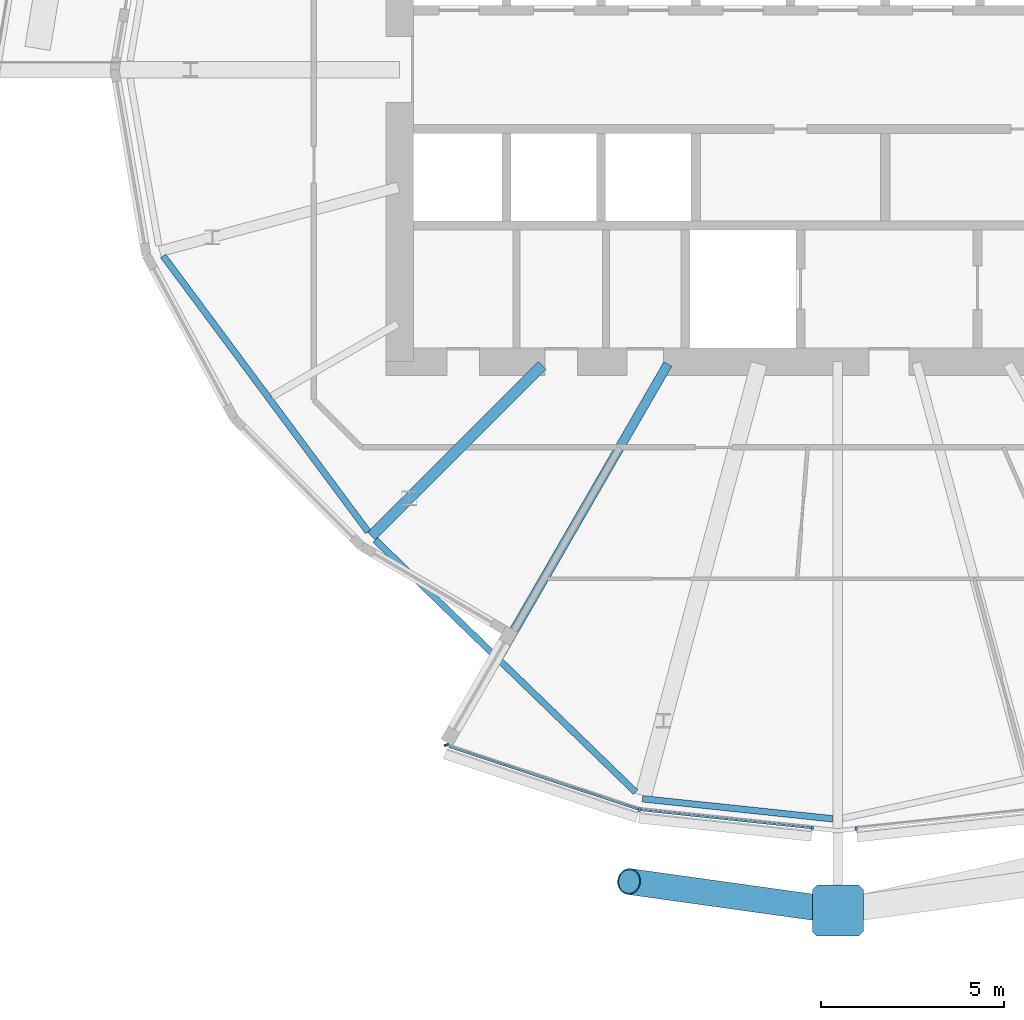
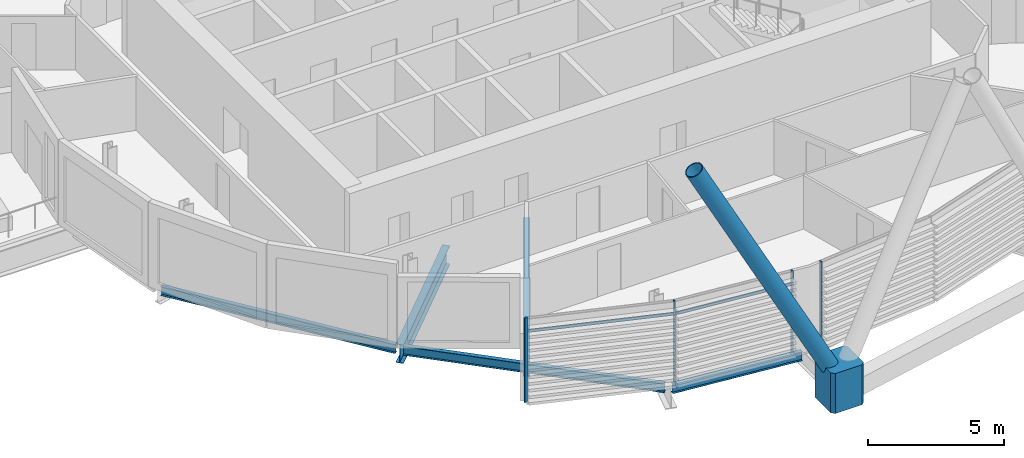
# One storey, part 3 of 38: 8 members, 5 beams, 1 element without a shape of its own.
"""IFC4 building model written with IfcOpenShell, lengths in metres."""

import ifcopenshell
import ifcopenshell.guid

model = None  # the IFC model being written
_history = None  # IfcOwnerHistory: only IFC2X3 demands one
_inside = {}  # id of a spatial element -> (the spatial element, [elements in it])
_under = {}  # id of a project, library or spatial element -> (it, [spatial elements below it])
_declared = {}  # id of a project -> (the project, [libraries it declares])
_typed = {}  # id of a type object -> (the type object, [elements of that type])
_made_of = {}  # id of a material, layer set ... -> (it, [elements and type objects made of it])


def new_model(schema):
    """Start an empty IFC model of exactly this schema.

    Asked for "IFC4X3", IfcOpenShell would pick the latest addendum, in which some entities
    have other attributes; the version numbers below select the first issue.
    IFC2X3 requires an IfcOwnerHistory on every rooted entity: one is made here for all.
    """
    global model, _history
    if schema == "IFC4X3":
        model = ifcopenshell.file(schema_version=(4, 3, 0, 0))
    else:
        model = ifcopenshell.file(schema=schema)
    _inside.clear()
    _under.clear()
    _declared.clear()
    _typed.clear()
    _made_of.clear()
    _history = None
    if model.schema == "IFC2X3":
        org = make("IfcOrganization", Name="unknown")
        user = make(
            "IfcPersonAndOrganization",
            ThePerson=make("IfcPerson", FamilyName="unknown"),
            TheOrganization=org,
        )
        app = make(
            "IfcApplication",
            ApplicationDeveloper=org,
            Version="unknown",
            ApplicationFullName="unknown",
            ApplicationIdentifier="unknown",
        )
        _history = make(
            "IfcOwnerHistory",
            OwningUser=user,
            OwningApplication=app,
            ChangeAction="ADDED",
            CreationDate=0,
        )
    return model


def make(cls, **values):
    """One entity of the class cls with the attributes given. An attribute that is None is left unset."""
    return model.create_entity(
        cls, **{name: value for name, value in values.items() if value is not None}
    )


def rooted(cls, **values):
    """An entity with a GlobalId (a new one), such as an element, a storey or a relation."""
    return make(cls, GlobalId=ifcopenshell.guid.new(), OwnerHistory=_history, **values)


def si_unit(unit_type, name, prefix=None):
    """IfcSIUnit, for example si_unit("LENGTHUNIT", "METRE", prefix="MILLI")."""
    return make("IfcSIUnit", UnitType=unit_type, Prefix=prefix, Name=name)


def assignment(units):
    """IfcUnitAssignment: the units of a project."""
    return None if units is None else make("IfcUnitAssignment", Units=units)


def point(xyz):
    """IfcCartesianPoint."""
    return None if xyz is None else make("IfcCartesianPoint", Coordinates=xyz)


def direction(xyz):
    """IfcDirection."""
    return None if xyz is None else make("IfcDirection", DirectionRatios=xyz)


def frame(location, z_axis=None, x_axis=None):
    """IfcAxis2Placement3D, a coordinate frame: its origin and axes. An axis left out is left unset."""
    return make(
        "IfcAxis2Placement3D",
        Location=point(location),
        Axis=direction(z_axis),
        RefDirection=direction(x_axis),
    )


def frame_2d(location, x_axis=None):
    """IfcAxis2Placement2D, a coordinate frame in the plane: its origin and x axis."""
    return make(
        "IfcAxis2Placement2D", Location=point(location), RefDirection=direction(x_axis)
    )


def origin():
    """The frame at (0, 0, 0) with its axes left unset."""
    return frame((0.0, 0.0, 0.0))


def origin_2d():
    """The frame at (0, 0) in the plane with its x axis left unset."""
    return frame_2d((0.0, 0.0))


def place(relative_to, where):
    """IfcLocalPlacement: puts the frame where relative to a parent placement (None: the world)."""
    return make(
        "IfcLocalPlacement", PlacementRelTo=relative_to, RelativePlacement=where
    )


def context(
    kind, dimensions, precision=None, world=None, true_north=None, identifier=None
):
    """IfcGeometricRepresentationContext, for example the 3D "Model" context."""
    return make(
        "IfcGeometricRepresentationContext",
        ContextIdentifier=identifier,
        ContextType=kind,
        CoordinateSpaceDimension=dimensions,
        Precision=precision,
        WorldCoordinateSystem=world,
        TrueNorth=true_north,
    )


def subcontext(parent, identifier, kind, view, scale=None):
    """IfcGeometricRepresentationSubContext, for example "Body" below "Model"."""
    return make(
        "IfcGeometricRepresentationSubContext",
        ContextIdentifier=identifier,
        ContextType=kind,
        ParentContext=parent,
        TargetScale=scale,
        TargetView=view,
    )


def project(units=None, contexts=None):
    """IfcProject with its units and contexts."""
    return rooted(
        "IfcProject",
        Name="project",
        RepresentationContexts=contexts,
        UnitsInContext=assignment(units),
    )


def spatial(cls, under=None, at=None, **own):
    """A site, building, storey or space (cls), placed at a placement, below another one or the project."""
    s = rooted(cls, ObjectPlacement=at, **own)
    if under is not None:
        _under.setdefault(under.id(), (under, []))[1].append(s)
    return s


def polyline(points):
    """IfcPolyline through the points."""
    return make("IfcPolyline", Points=[point(p) for p in points])


def profile(cls, at=None, kind="AREA", **sizes):
    """A parametric profile (cls). Its sizes go by their IFC names, for example OverallWidth=200.0."""
    return make(cls, ProfileType=kind, Position=at, **sizes)


def rectangle(**sizes):
    """IfcRectangleProfileDef."""
    return profile("IfcRectangleProfileDef", **sizes)


def hollow_circle(**sizes):
    """IfcCircleHollowProfileDef."""
    return profile("IfcCircleHollowProfileDef", **sizes)


def i_section(**sizes):
    """IfcIShapeProfileDef."""
    return profile("IfcIShapeProfileDef", **sizes)


def outline(outer, holes=None, kind="AREA"):
    """IfcArbitraryClosedProfileDef: a profile drawn as a closed curve; with holes, ...WithVoids."""
    if holes is None:
        return make("IfcArbitraryClosedProfileDef", ProfileType=kind, OuterCurve=outer)
    return make(
        "IfcArbitraryProfileDefWithVoids",
        ProfileType=kind,
        OuterCurve=outer,
        InnerCurves=holes,
    )


def extrude(swept, where, along, depth):
    """IfcExtrudedAreaSolid: the profile swept, set in the frame where, extruded along a direction by depth."""
    return make(
        "IfcExtrudedAreaSolid",
        SweptArea=swept,
        Position=where,
        ExtrudedDirection=direction(along),
        Depth=depth,
    )


def shape(context_of_items, identifier, shape_type, items):
    """IfcShapeRepresentation: the items that make up one representation, for example the "Body"."""
    return make(
        "IfcShapeRepresentation",
        ContextOfItems=context_of_items,
        RepresentationIdentifier=identifier,
        RepresentationType=shape_type,
        Items=items,
    )


def material(Name=None, Category=None):
    """IfcMaterial."""
    return make("IfcMaterial", Name=Name, Category=Category)


def material_profile(
    of_material, cross_section, Name=None, Category=None, Priority=None
):
    """IfcMaterialProfile: a cross section and its material."""
    return make(
        "IfcMaterialProfile",
        Name=Name,
        Material=of_material,
        Profile=cross_section,
        Priority=Priority,
        Category=Category,
    )


def profile_set(profiles, Name=None, composite=None):
    """IfcMaterialProfileSet."""
    return make(
        "IfcMaterialProfileSet",
        Name=Name,
        MaterialProfiles=profiles,
        CompositeProfile=composite,
    )


def made_of(thing, what):
    """Note that an element or type object is made of a material, layer set ...; save() writes the relation."""
    if what is not None:
        _made_of.setdefault(what.id(), (what, []))[1].append(thing)
    return thing


def type_object(cls, material=None, **own):
    """A type object (cls), such as IfcWallType, which elements share."""
    return made_of(rooted(cls, **own), material)


def element(
    cls,
    number,
    at=None,
    inside=None,
    cuts=None,
    type_object=None,
    material=None,
    context=None,
    identifier="Body",
    shape_type=None,
    held_by="IfcProductDefinitionShape",
    body=None,
    shapes=None,
    **own,
):
    """One element of the class cls, such as IfcWall. Its Tag is "e" and its number.

    at: its placement. inside: the storey or other place that contains it. cuts: it is an
    opening in that element (IfcRelVoidsElement). A single representation is given by context,
    identifier, shape_type and body (its items); several are given by shapes. held_by: the class
    of the entity that holds the representations. save() writes the other relations.
    """
    e = rooted(cls, Tag="e%d" % number, ObjectPlacement=at, **own)
    if body is not None:
        shapes = [shape(context, identifier, shape_type, body)]
    if shapes is not None:
        e.Representation = make(held_by, Representations=shapes)
    if inside is not None:
        _inside.setdefault(inside.id(), (inside, []))[1].append(e)
    if cuts is not None:
        rooted(
            "IfcRelVoidsElement", RelatingBuildingElement=cuts, RelatedOpeningElement=e
        )
    if type_object is not None:
        _typed.setdefault(type_object.id(), (type_object, []))[1].append(e)
    return made_of(e, material)


def aggregate(whole, parts):
    """IfcRelAggregates: a whole, such as a stair, and the parts it consists of."""
    return rooted("IfcRelAggregates", RelatingObject=whole, RelatedObjects=parts)


def save(model, path):
    """Write the relations noted so far, then the file.

    IfcRelAggregates (storeys below a building ...), IfcRelContainedInSpatialStructure (elements
    in a storey), IfcRelDefinesByType, IfcRelAssociatesMaterial and IfcRelDeclares: one each for
    every whole, place, type object, material and project.
    """
    for whole, parts in _under.values():
        aggregate(whole, parts)
    for where, things in _inside.values():
        rooted(
            "IfcRelContainedInSpatialStructure",
            RelatedElements=things,
            RelatingStructure=where,
        )
    for kind, things in _typed.values():
        rooted("IfcRelDefinesByType", RelatedObjects=things, RelatingType=kind)
    for what, things in _made_of.values():
        rooted("IfcRelAssociatesMaterial", RelatedObjects=things, RelatingMaterial=what)
    for by, libraries in _declared.values():
        rooted("IfcRelDeclares", RelatingContext=by, RelatedDefinitions=libraries)
    model.write(path)


model = new_model("IFC4")

# Units and contexts
model_context = context("Model", 3, precision=1e-05, world=origin(), true_north=direction((0.0, 1.0)))
body_context = subcontext(model_context, "Body", "Model", "MODEL_VIEW")
ifc_project = project(units=[si_unit("LENGTHUNIT", "METRE"), si_unit("AREAUNIT", "SQUARE_METRE"), si_unit("VOLUMEUNIT", "CUBIC_METRE"), si_unit("PLANEANGLEUNIT", "RADIAN"), si_unit("MASSUNIT", "GRAM", prefix="KILO")], contexts=[model_context])

# Site, building, storey
site_placement = place(None, origin())
site = spatial("IfcSite", under=ifc_project, at=site_placement, CompositionType="ELEMENT")
building_placement = place(site_placement, origin())
building = spatial("IfcBuilding", under=site, at=building_placement, Name="Rimbun Link Towers", CompositionType="ELEMENT")
storey_placement = place(building_placement, frame((0.0, 0.0, 104.39990234375)))
storey = spatial("IfcBuildingStorey", under=building, at=storey_placement, Name="L25", CompositionType="ELEMENT", Elevation=104.39990234375)

# Curtain wall, members
ifc_material_1 = material(Name="Aluminium 6063-T6 and low-iron glass", Category="aluminium")
curtain_wall_type = type_object("IfcCurtainWallType", Name="CW1-Z2 unitised vision wall (zone 2)", PredefinedType="NOTDEFINED", material=ifc_material_1)
curtain_wall_placement = place(storey_placement, origin())
curtain_wall = element("IfcCurtainWall", 1, at=curtain_wall_placement, inside=storey, type_object=curtain_wall_type, Name="CW1 L25 T1", PredefinedType="NOTDEFINED")
ifc_material_2 = material(Name="Aluminium 6063-T6", Category="aluminium")
ifc_material_profile_1 = material_profile(ifc_material_2, rectangle(XDim=0.1201171875, YDim=0.06005859375, at=origin_2d()), Name="MULLION 60X120")
ifc_profile_set_1 = profile_set([ifc_material_profile_1], Name="Aluminium 6063-T6")
member_type_1 = type_object("IfcMemberType", Name="CW1 mullion 60X120", PredefinedType="MULLION", material=ifc_profile_set_1)
member_1_placement = place(storey_placement, frame((-37.179931640625, -20.276123046875, 0.0), z_axis=(0.0, 0.0, 1.0), x_axis=(-0.210864978702, -0.9775151972, 0.0)))
member_1 = element("IfcMember", 2, at=member_1_placement, type_object=member_type_1, Name="CW1 mullion", PredefinedType="MULLION", context=body_context, shape_type="SweptSolid", body=[
    extrude(rectangle(XDim=0.1201171875, YDim=0.06005859375, at=origin_2d()), origin(), (0.0, 0.0, 1.0), 3.800048828125),
])
member_2_placement = place(storey_placement, frame((-42.47412109375, -18.498779296875, 0.0), z_axis=(0.0, 0.0, 1.0), x_axis=(-0.934621994877, -0.355642695261, 0.0)))
member_2 = element("IfcMember", 3, at=member_2_placement, type_object=member_type_1, Name="CW1 mullion", PredefinedType="MULLION", context=body_context, shape_type="SweptSolid", body=[
    extrude(rectangle(XDim=0.1201171875, YDim=0.06005859375, at=origin_2d()), origin(), (0.0, 0.0, 1.0), 3.800048828125),
])
member_3_placement = place(storey_placement, frame((-32.452392578125, -20.7744140625, 0.0), z_axis=(0.0, 0.0, 1.0), x_axis=(-0.104731609524, -0.994500522859, 0.0)))
member_3 = element("IfcMember", 4, at=member_3_placement, type_object=member_type_1, Name="CW1 mullion", PredefinedType="MULLION", context=body_context, shape_type="SweptSolid", body=[
    extrude(rectangle(XDim=0.1201171875, YDim=0.06005859375, at=origin_2d()), origin(), (0.0, 0.0, 1.0), 3.800048828125),
])
member_4_placement = place(storey_placement, frame((-31.24658203125, -20.79541015625, 0.0), z_axis=(0.0, 0.0, 1.0), x_axis=(0.104731609524, -0.994500522859, 0.0)))
member_4 = element("IfcMember", 5, at=member_4_placement, type_object=member_type_1, Name="CW1 mullion", PredefinedType="MULLION", context=body_context, shape_type="SweptSolid", body=[
    extrude(rectangle(XDim=0.1201171875, YDim=0.06005859375, at=origin_2d()), origin(), (0.0, 0.0, 1.0), 3.800048828125),
])
ifc_material_3 = material(Name="Aluminium 6063-T6", Category="aluminium")
ifc_material_profile_2 = material_profile(ifc_material_3, rectangle(XDim=0.06005859375, YDim=0.1201171875, at=origin_2d()), Name="TRANSOM 60X120")
ifc_profile_set_2 = profile_set([ifc_material_profile_2], Name="Aluminium 6063-T6")
member_type_2 = type_object("IfcMemberType", Name="CW1 transom 60X120", PredefinedType="USERDEFINED", material=ifc_profile_set_2)
member_5_placement = place(storey_placement, frame((-37.214111328125, -20.26318359375, 3.2001953125), z_axis=(-0.949230712226, 0.314580760645, 0.0), x_axis=(-0.314580760645, -0.949230712226, 0.0)))
member_5 = element("IfcMember", 6, at=member_5_placement, type_object=member_type_2, Name="CW1 transom", ObjectType="TRANSOM", PredefinedType="USERDEFINED", context=body_context, shape_type="SweptSolid", body=[
    extrude(rectangle(XDim=0.06005859375, YDim=0.1201171875, at=origin_2d()), origin(), (0.0, 0.0, 1.0), 5.471435546875),
])
member_6_placement = place(storey_placement, frame((-32.482177734375, -20.769287109375, 3.2001953125), z_axis=(-0.994498886565, 0.104747146121, 0.0), x_axis=(-0.104747146121, -0.994498886565, 0.0)))
member_6 = element("IfcMember", 7, at=member_6_placement, type_object=member_type_2, Name="CW1 transom", ObjectType="TRANSOM", PredefinedType="USERDEFINED", context=body_context, shape_type="SweptSolid", body=[
    extrude(rectangle(XDim=0.06005859375, YDim=0.1201171875, at=origin_2d()), origin(), (0.0, 0.0, 1.0), 4.687255859375),
])
aggregate(curtain_wall, [member_1, member_2, member_3, member_4, member_5, member_6])

# Members
ifc_material_4 = material(Name="Steel S460NH", Category="steel")
ifc_material_profile_3 = material_profile(ifc_material_4, hollow_circle(Radius=0.355712890625, WallThickness=0.031982421875, at=origin_2d()), Name="Diagrid diagonal CHS 711x32")
ifc_profile_set_3 = profile_set([ifc_material_profile_3], Name="Steel S460NH")
member_type_3 = type_object("IfcMemberType", Name="Diagrid diagonal CHS 711x32", PredefinedType="BRACE", material=ifc_profile_set_3)
member_7_placement = place(storey_placement, frame((-31.98095703125, -23.005859375, 0.4423828125), z_axis=(-0.461751081055, 0.064494390575, 0.884661750461), x_axis=(-0.138330694416, -0.990386095915, 0.0)))
element("IfcMember", 8, at=member_7_placement, inside=storey, type_object=member_type_3, Name="Diagrid diagonal T1 L25-L28 18a", PredefinedType="BRACE", context=body_context, shape_type="SweptSolid", body=[
    extrude(hollow_circle(Radius=0.355712890625, WallThickness=0.031982421875, at=origin_2d()), origin(), (0.0, 0.0, 1.0), 11.88623046875),
])
ifc_material_5 = material(Name="Cast steel G20Mn5+QT, Rp0.2 300 MPa", Category="steel")
ifc_material_profile_4 = material_profile(ifc_material_5, outline(polyline([(0.699951171875, -0.570068359375), (0.699951171875, 0.570068359375), (0.570068359375, 0.699951171875), (-0.570068359375, 0.699951171875), (-0.699951171875, 0.570068359375), (-0.699951171875, -0.570068359375), (-0.570068359375, -0.699951171875), (0.570068359375, -0.699951171875), (0.699951171875, -0.570068359375)])), Name="NODE 1400x1400")
ifc_profile_set_4 = profile_set([ifc_material_profile_4], Name="Cast steel G20Mn5+QT, Rp0.2 300 MPa")
member_type_4 = type_object("IfcMemberType", Name="Diagrid node cast 1400", PredefinedType="USERDEFINED", material=ifc_profile_set_4)
member_8_placement = place(storey_placement, frame((-31.75, -23.0380859375, -0.89990234375), z_axis=(0.0, 0.0, 1.0), x_axis=(0.0, -1.0, 0.0)))
element("IfcMember", 9, at=member_8_placement, inside=storey, type_object=member_type_4, Name="Diagrid node L25 18", ObjectType="Diagrid node", PredefinedType="USERDEFINED", context=body_context, shape_type="SweptSolid", body=[
    extrude(outline(polyline([(0.699951171875, -0.570068359375), (0.699951171875, 0.570068359375), (0.570068359375, 0.699951171875), (-0.570068359375, 0.699951171875), (-0.699951171875, 0.570068359375), (-0.699951171875, -0.570068359375), (-0.570068359375, -0.699951171875), (0.570068359375, -0.699951171875), (0.699951171875, -0.570068359375)])), origin(), (0.0, 0.0, 1.0), 1.800048828125),
])

# Beams
ifc_material_6 = material(Name="Steel S355J2", Category="steel")
ifc_material_profile_5 = material_profile(ifc_material_6, i_section(OverallWidth=0.177978515625, OverallDepth=0.406494140625, WebThickness=0.0078125, FlangeThickness=0.0126953125, at=origin_2d()), Name="UB 406x178x60")
ifc_profile_set_5 = profile_set([ifc_material_profile_5], Name="Steel S355J2")
beam_type_1 = type_object("IfcBeamType", Name="UB 406x178x60", PredefinedType="BEAM", material=ifc_profile_set_5)
beam_1_placement = place(storey_placement, frame((-50.230224609375, -5.10400390625, -0.363037109375), z_axis=(0.596395635551, -0.802690629007, 0.0), x_axis=(0.802690629007, 0.596395635551, 0.0)))
element("IfcBeam", 10, at=beam_1_placement, inside=storey, type_object=beam_type_1, Name="Edge beam T1 L25 13-15", PredefinedType="BEAM", context=body_context, shape_type="SweptSolid", body=[
    extrude(i_section(OverallWidth=0.177978515625, OverallDepth=0.406494140625, WebThickness=0.0078125, FlangeThickness=0.0126953125, at=origin_2d()), origin(), (0.0, 0.0, 1.0), 9.412109375),
])
beam_2_placement = place(storey_placement, frame((-44.422607421875, -12.880615234375, -0.363037109375), z_axis=(0.718224103486, -0.695811854722, 0.0), x_axis=(0.695811854722, 0.718224103486, 0.0)))
element("IfcBeam", 11, at=beam_2_placement, inside=storey, type_object=beam_type_1, Name="Edge beam T1 L25 15-17", PredefinedType="BEAM", context=body_context, shape_type="SweptSolid", body=[
    extrude(i_section(OverallWidth=0.177978515625, OverallDepth=0.406494140625, WebThickness=0.0078125, FlangeThickness=0.0126953125, at=origin_2d()), origin(), (0.0, 0.0, 1.0), 9.9345703125),
])
beam_3_placement = place(storey_placement, frame((-37.100830078125, -19.97314453125, -0.363037109375), z_axis=(0.994500852948, -0.104728475043, 0.0), x_axis=(0.104728475043, 0.994500852948, 0.0)))
element("IfcBeam", 12, at=beam_3_placement, inside=storey, type_object=beam_type_1, Name="Edge beam T1 L25 17", PredefinedType="BEAM", context=body_context, shape_type="SweptSolid", body=[
    extrude(i_section(OverallWidth=0.177978515625, OverallDepth=0.406494140625, WebThickness=0.0078125, FlangeThickness=0.0126953125, at=origin_2d()), origin(), (0.0, 0.0, 1.0), 5.23583984375),
])
ifc_material_7 = material(Name="Steel S355J2", Category="steel")
ifc_material_profile_6 = material_profile(ifc_material_7, i_section(OverallWidth=0.253662109375, OverallDepth=0.68359375, WebThickness=0.012451171875, FlangeThickness=0.01904296875, at=origin_2d()), Name="UB 686x254x140")
ifc_profile_set_6 = profile_set([ifc_material_profile_6], Name="Steel S355J2")
beam_type_2 = type_object("IfcBeamType", Name="UB 686x254x140", PredefinedType="BEAM", material=ifc_profile_set_6)
beam_4_placement = place(storey_placement, frame((-36.406005859375, -8.064208984375, -0.501708984375), z_axis=(-0.499975978711, -0.866039272038, 0.0), x_axis=(0.866039272038, -0.499975978711, 0.0)))
element("IfcBeam", 13, at=beam_4_placement, inside=storey, type_object=beam_type_2, Name="Radial beam T1 L25 16", PredefinedType="BEAM", context=body_context, shape_type="SweptSolid", body=[
    extrude(i_section(OverallWidth=0.253662109375, OverallDepth=0.68359375, WebThickness=0.012451171875, FlangeThickness=0.01904296875, at=origin_2d()), origin(), (0.0, 0.0, 1.0), 9.22509765625),
])
ifc_material_8 = material(Name="Steel S355J2", Category="steel")
ifc_material_profile_7 = material_profile(ifc_material_8, i_section(OverallWidth=0.29248046875, OverallDepth=0.8408203125, WebThickness=0.0126953125, FlangeThickness=0.021728515625, at=origin_2d()), Name="UB 838x292x194")
ifc_profile_set_7 = profile_set([ifc_material_profile_7], Name="Steel S355J2")
beam_type_3 = type_object("IfcBeamType", Name="UB 838x292x194", PredefinedType="BEAM", material=ifc_profile_set_7)
beam_5_placement = place(storey_placement, frame((-39.85400390625, -8.10400390625, -0.580322265625), z_axis=(-0.707106781187, -0.707106781187, 0.0), x_axis=(0.707106781187, -0.707106781187, 0.0)))
element("IfcBeam", 14, at=beam_5_placement, inside=storey, type_object=beam_type_3, Name="Radial beam T1 L25 15", PredefinedType="BEAM", context=body_context, shape_type="SweptSolid", body=[
    extrude(i_section(OverallWidth=0.29248046875, OverallDepth=0.8408203125, WebThickness=0.0126953125, FlangeThickness=0.021728515625, at=origin_2d()), origin(), (0.0, 0.0, 1.0), 6.610595703125),
])

save(model, "model.ifc")
